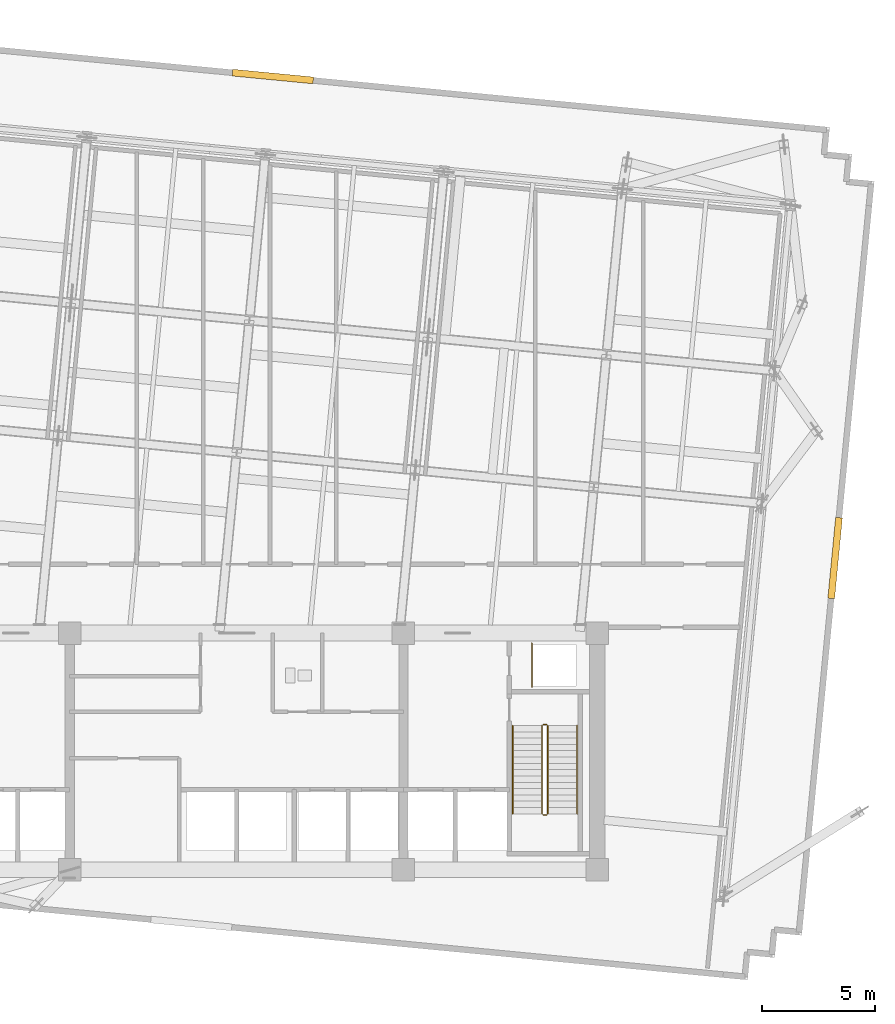
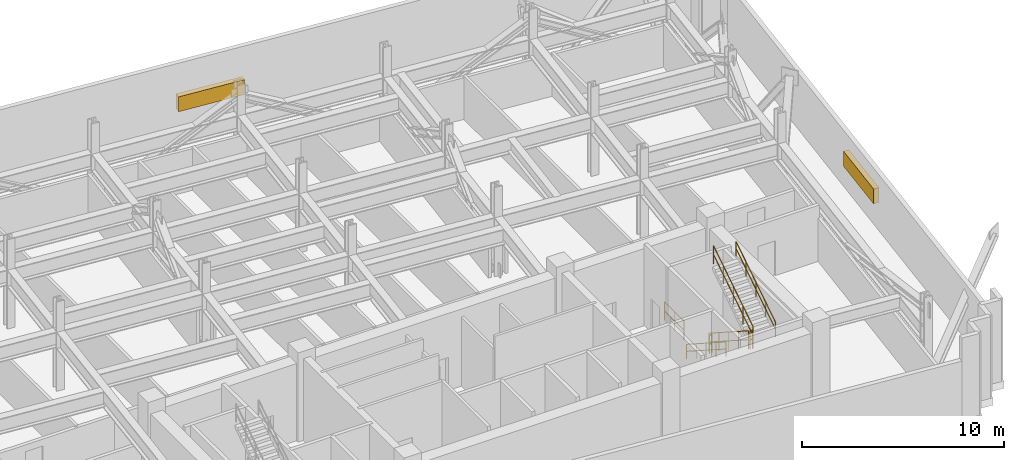
# One storey, part 9 of 10: 7 railings, 2 shading devices.
"""IFC4 building model written with IfcOpenShell, lengths in metres."""

from ifc_helpers import new_model, si_unit, direction, frame, origin, origin_2d, place, context, subcontext, project, spatial, rectangle, circle, extrude, material, layer, layer_set, type_object, element, save


model = new_model("IFC4")

# Units and contexts
model_context = context("Model", 3, precision=1e-05, world=origin(), true_north=direction((0.0, 1.0)))
body_context = subcontext(model_context, "Body", "Model", "MODEL_VIEW")
ifc_project = project(units=[si_unit("LENGTHUNIT", "METRE"), si_unit("AREAUNIT", "SQUARE_METRE"), si_unit("VOLUMEUNIT", "CUBIC_METRE"), si_unit("PLANEANGLEUNIT", "RADIAN"), si_unit("MASSUNIT", "GRAM", prefix="KILO")], contexts=[model_context])

# Site, building, storey
site_placement = place(None, origin())
site = spatial("IfcSite", under=ifc_project, at=site_placement, CompositionType="ELEMENT")
building_placement = place(site_placement, origin())
building = spatial("IfcBuilding", under=site, at=building_placement, Name="Solmavex Isthmus Hotel", CompositionType="ELEMENT")
storey_placement = place(building_placement, frame((0.0, 0.0, 186.300048828125)))
storey = spatial("IfcBuildingStorey", under=building, at=storey_placement, Name="L50", CompositionType="ELEMENT", Elevation=186.300048828125)

# Railings
ifc_material_1 = material(Name="Clear low-E laminated glass", Category="glass")
ifc_layer_1 = layer(ifc_material_1, 0.080078125)
ifc_layer_set_1 = layer_set([ifc_layer_1], Name="Clear low-E laminated glass")
railing_type_1 = type_object("IfcRailingType", Name="RAIL-ATRIUM-1120", PredefinedType="BALUSTRADE", material=ifc_layer_set_1)
railing_1_placement = place(storey_placement, frame((13.10009765625, -4.89990234375, 0.0)))
element("IfcRailing", 1, at=railing_1_placement, inside=storey, type_object=railing_type_1, Name="Guardrail Balustrade L50-RSE-01", PredefinedType="BALUSTRADE", context=body_context, shape_type="SweptSolid", body=[
    extrude(circle(Radius=0.02392578125, at=origin_2d()), frame((0.0, 0.0, 1.1259765625), z_axis=(0.0, 1.0, 0.0), x_axis=(-1.0, 0.0, 0.0)), (0.0, 0.0, 1.0), 1.949951171875),
    extrude(circle(Radius=0.02392578125, at=origin_2d()), frame((0.0, 0.0, 0.574951171875), z_axis=(0.0, 1.0, 0.0), x_axis=(-1.0, 0.0, 0.0)), (0.0, 0.0, 1.0), 1.949951171875),
    extrude(circle(Radius=0.02099609375, at=origin_2d()), origin(), (0.0, 0.0, 1.0), 1.101806640625),
    extrude(circle(Radius=0.02099609375, at=origin_2d()), frame((0.0, 0.97509765625, 0.0)), (0.0, 0.0, 1.0), 1.101806640625),
    extrude(circle(Radius=0.02099609375, at=origin_2d()), frame((0.0, 1.949951171875, 0.0)), (0.0, 0.0, 1.0), 1.101806640625),
])
ifc_material_2 = material(Name="Stainless steel 316", Category="steel")
ifc_layer_2 = layer(ifc_material_2, 0.06005859375)
ifc_layer_set_2 = layer_set([ifc_layer_2], Name="Stainless steel 316")
railing_type_2 = type_object("IfcRailingType", Name="RAIL-STAIR-GD", PredefinedType="GUARDRAIL", material=ifc_layer_set_2)
railing_2_placement = place(storey_placement, frame((13.550048828125, -6.60009765625, 0.179931640625)))
element("IfcRailing", 2, at=railing_2_placement, inside=storey, type_object=railing_type_2, Name="L50 ST-2 stair guard 1", PredefinedType="GUARDRAIL", context=body_context, shape_type="SweptSolid", body=[
    extrude(circle(Radius=0.02392578125, at=origin_2d()), frame((0.0, 0.0, 1.09619140625), z_axis=(0.0, -0.841171666519, 0.540768182723), x_axis=(1.0, 0.0, 0.0)), (0.0, 0.0, 1.0), 4.66015625),
    extrude(circle(Radius=0.02392578125, at=origin_2d()), frame((0.0, 0.0, 0.56005859375), z_axis=(0.0, -0.841171666519, 0.540768182723), x_axis=(1.0, 0.0, 0.0)), (0.0, 0.0, 1.0), 4.66015625),
    extrude(circle(Radius=0.02099609375, at=origin_2d()), origin(), (0.0, 0.0, 1.0), 1.072021484375),
    extrude(circle(Radius=0.02099609375, at=origin_2d()), frame((0.0, -0.97998046875, 0.6298828125)), (0.0, 0.0, 1.0), 1.072021484375),
    extrude(circle(Radius=0.02099609375, at=origin_2d()), frame((0.0, -1.9599609375, 1.260009765625)), (0.0, 0.0, 1.0), 1.072021484375),
    extrude(circle(Radius=0.02099609375, at=origin_2d()), frame((0.0, -2.93994140625, 1.89013671875)), (0.0, 0.0, 1.0), 1.072021484375),
    extrude(circle(Radius=0.02099609375, at=origin_2d()), frame((0.0, -3.919921875, 2.52001953125)), (0.0, 0.0, 1.0), 1.072021484375),
])
railing_3_placement = place(storey_placement, frame((13.60009765625, -10.570068359375, 2.699951171875)))
element("IfcRailing", 3, at=railing_3_placement, inside=storey, type_object=railing_type_2, Name="L50 ST-2 stair guard 2", PredefinedType="GUARDRAIL", context=body_context, shape_type="SweptSolid", body=[
    extrude(circle(Radius=0.02392578125, at=origin_2d()), frame((0.0, 0.0, 1.09619140625), z_axis=(1.0, 0.0, 0.0), x_axis=(0.0, 1.0, 0.0)), (0.0, 0.0, 1.0), 0.14990234375),
    extrude(circle(Radius=0.02392578125, at=origin_2d()), frame((0.0, 0.0, 0.56005859375), z_axis=(1.0, 0.0, 0.0), x_axis=(0.0, 1.0, 0.0)), (0.0, 0.0, 1.0), 0.14990234375),
    extrude(circle(Radius=0.02099609375, at=origin_2d()), origin(), (0.0, 0.0, 1.0), 1.072021484375),
    extrude(circle(Radius=0.02099609375, at=origin_2d()), frame((0.14990234375, 0.0, 0.0)), (0.0, 0.0, 1.0), 1.072021484375),
])
railing_4_placement = place(storey_placement, frame((13.800048828125, -10.52001953125, 2.8798828125)))
element("IfcRailing", 4, at=railing_4_placement, inside=storey, type_object=railing_type_2, Name="L50 ST-2 stair guard 3", PredefinedType="GUARDRAIL", context=body_context, shape_type="SweptSolid", body=[
    extrude(circle(Radius=0.02392578125, at=origin_2d()), frame((0.0, 0.0, 1.09619140625), z_axis=(0.0, 0.841171666519, 0.540768182723), x_axis=(-1.0, 0.0, 0.0)), (0.0, 0.0, 1.0), 4.66015625),
    extrude(circle(Radius=0.02392578125, at=origin_2d()), frame((0.0, 0.0, 0.56005859375), z_axis=(0.0, 0.841171666519, 0.540768182723), x_axis=(-1.0, 0.0, 0.0)), (0.0, 0.0, 1.0), 4.66015625),
    extrude(circle(Radius=0.02099609375, at=origin_2d()), origin(), (0.0, 0.0, 1.0), 1.072021484375),
    extrude(circle(Radius=0.02099609375, at=origin_2d()), frame((0.0, 0.97998046875, 0.6298828125)), (0.0, 0.0, 1.0), 1.072021484375),
    extrude(circle(Radius=0.02099609375, at=origin_2d()), frame((0.0, 1.9599609375, 1.260009765625)), (0.0, 0.0, 1.0), 1.072021484375),
    extrude(circle(Radius=0.02099609375, at=origin_2d()), frame((0.0, 2.93994140625, 1.89013671875)), (0.0, 0.0, 1.0), 1.072021484375),
    extrude(circle(Radius=0.02099609375, at=origin_2d()), frame((0.0, 3.919921875, 2.52001953125)), (0.0, 0.0, 1.0), 1.072021484375),
])
railing_5_placement = place(storey_placement, frame((13.60009765625, -6.550048828125, 0.0)))
element("IfcRailing", 5, at=railing_5_placement, inside=storey, type_object=railing_type_2, Name="L50 ST-2 stair guard 4", PredefinedType="GUARDRAIL", context=body_context, shape_type="SweptSolid", body=[
    extrude(circle(Radius=0.02392578125, at=origin_2d()), frame((0.0, 0.0, 1.09619140625), z_axis=(1.0, 0.0, 0.0), x_axis=(0.0, 1.0, 0.0)), (0.0, 0.0, 1.0), 0.14990234375),
    extrude(circle(Radius=0.02392578125, at=origin_2d()), frame((0.0, 0.0, 0.56005859375), z_axis=(1.0, 0.0, 0.0), x_axis=(0.0, 1.0, 0.0)), (0.0, 0.0, 1.0), 0.14990234375),
    extrude(circle(Radius=0.02099609375, at=origin_2d()), origin(), (0.0, 0.0, 1.0), 1.072021484375),
    extrude(circle(Radius=0.02099609375, at=origin_2d()), frame((0.14990234375, 0.0, 0.0)), (0.0, 0.0, 1.0), 1.072021484375),
])
ifc_layer_3 = layer(ifc_material_2, 0.050048828125)
ifc_layer_set_3 = layer_set([ifc_layer_3], Name="Stainless steel 316")
railing_type_3 = type_object("IfcRailingType", Name="RAIL-STAIR-HR", PredefinedType="HANDRAIL", material=ifc_layer_set_3)
railing_6_placement = place(storey_placement, frame((12.25, -6.60009765625, 0.179931640625)))
element("IfcRailing", 6, at=railing_6_placement, inside=storey, type_object=railing_type_3, Name="L50 ST-2 stair handrail 1", PredefinedType="HANDRAIL", context=body_context, shape_type="SweptSolid", body=[
    extrude(circle(Radius=0.02392578125, at=origin_2d()), frame((0.0, 0.0, 0.8759765625), z_axis=(0.0, -0.841171666519, 0.540768182723), x_axis=(1.0, 0.0, 0.0)), (0.0, 0.0, 1.0), 4.66015625),
    extrude(circle(Radius=0.02392578125, at=origin_2d()), frame((0.0, 0.0, 0.449951171875), z_axis=(0.0, -0.841171666519, 0.540768182723), x_axis=(1.0, 0.0, 0.0)), (0.0, 0.0, 1.0), 4.66015625),
    extrude(circle(Radius=0.02099609375, at=origin_2d()), origin(), (0.0, 0.0, 1.0), 0.851806640625),
    extrude(circle(Radius=0.02099609375, at=origin_2d()), frame((0.0, -0.97998046875, 0.6298828125)), (0.0, 0.0, 1.0), 0.851806640625),
    extrude(circle(Radius=0.02099609375, at=origin_2d()), frame((0.0, -1.9599609375, 1.260009765625)), (0.0, 0.0, 1.0), 0.851806640625),
    extrude(circle(Radius=0.02099609375, at=origin_2d()), frame((0.0, -2.93994140625, 1.89013671875)), (0.0, 0.0, 1.0), 0.851806640625),
    extrude(circle(Radius=0.02099609375, at=origin_2d()), frame((0.0, -3.919921875, 2.52001953125)), (0.0, 0.0, 1.0), 0.851806640625),
])
railing_7_placement = place(storey_placement, frame((15.10009765625, -10.52001953125, 2.8798828125)))
element("IfcRailing", 7, at=railing_7_placement, inside=storey, type_object=railing_type_3, Name="L50 ST-2 stair handrail 2", PredefinedType="HANDRAIL", context=body_context, shape_type="SweptSolid", body=[
    extrude(circle(Radius=0.02392578125, at=origin_2d()), frame((0.0, 0.0, 0.8759765625), z_axis=(0.0, 0.841171666519, 0.540768182723), x_axis=(-1.0, 0.0, 0.0)), (0.0, 0.0, 1.0), 4.66015625),
    extrude(circle(Radius=0.02392578125, at=origin_2d()), frame((0.0, 0.0, 0.449951171875), z_axis=(0.0, 0.841171666519, 0.540768182723), x_axis=(-1.0, 0.0, 0.0)), (0.0, 0.0, 1.0), 4.66015625),
    extrude(circle(Radius=0.02099609375, at=origin_2d()), origin(), (0.0, 0.0, 1.0), 0.851806640625),
    extrude(circle(Radius=0.02099609375, at=origin_2d()), frame((0.0, 0.97998046875, 0.6298828125)), (0.0, 0.0, 1.0), 0.851806640625),
    extrude(circle(Radius=0.02099609375, at=origin_2d()), frame((0.0, 1.9599609375, 1.260009765625)), (0.0, 0.0, 1.0), 0.851806640625),
    extrude(circle(Radius=0.02099609375, at=origin_2d()), frame((0.0, 2.93994140625, 1.89013671875)), (0.0, 0.0, 1.0), 0.851806640625),
    extrude(circle(Radius=0.02099609375, at=origin_2d()), frame((0.0, 3.919921875, 2.52001953125)), (0.0, 0.0, 1.0), 0.851806640625),
])

# Shading devices
ifc_material_3 = material(Name="Aluminium alloy 6063-T6", Category="aluminium")
shading_device_type = type_object("IfcShadingDeviceType", Name="SHD-LOUVRE-BOX", PredefinedType="JALOUSIE", material=ifc_material_3)
for number, where, z_axis, x_axis, name in (
    (8, (1.608642578125, 22.18310546875, 2.02490234375), (0.0, 0.0, 1.0), (0.995396198367, -0.09584575252, 0.0), "Acoustic Intake Louvre Screen L50-14"),
    (9, (26.54638671875, 0.82470703125, 1.242431640625), (0.0, 0.0, 1.0), (-0.09584575252, -0.995396198367, 0.0), "Acoustic Intake Louvre Screen L50-21"),
):
    element("IfcShadingDevice", number, at=place(storey_placement, frame(where, z_axis=z_axis, x_axis=x_axis)), inside=storey, type_object=shading_device_type, Name=name, PredefinedType="JALOUSIE", context=body_context, shape_type="SweptSolid", body=[
        extrude(rectangle(XDim=3.60009765625, YDim=0.300048828125, at=origin_2d()), origin(), (0.0, 0.0, 1.0), 0.89990234375),
    ])

save(model, "model.ifc")
